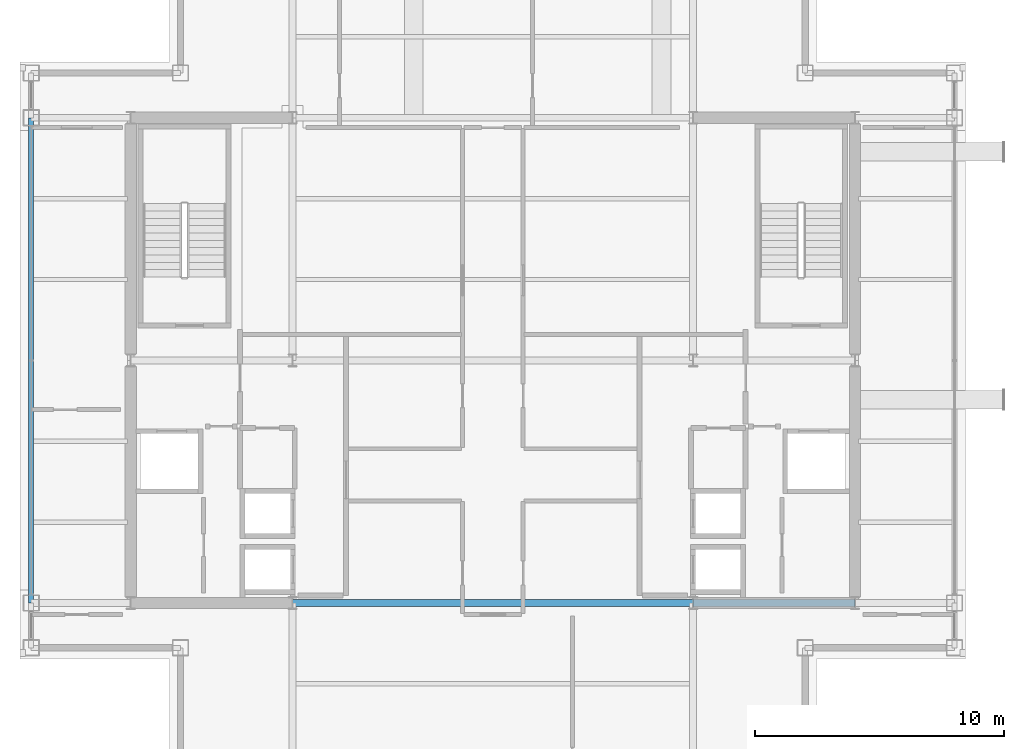
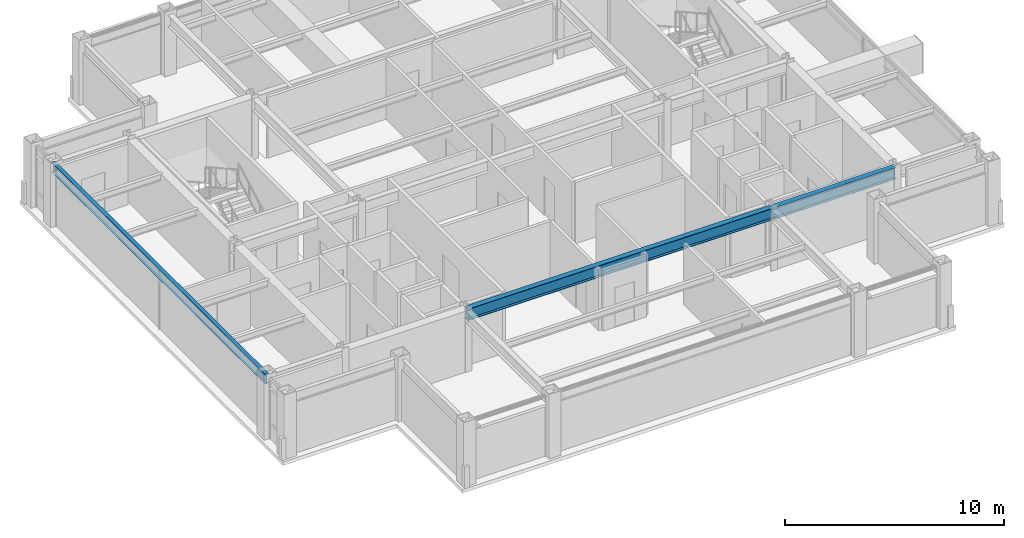
# One storey, part 5 of 20: 3 beams.
"""IFC4 building model written with IfcOpenShell, lengths in metres."""

from ifc_helpers import new_model, si_unit, direction, frame, origin, origin_2d, place, context, subcontext, project, spatial, i_section, extrude, material, material_profile, profile_set, type_object, element, save


model = new_model("IFC4")

# Units and contexts
model_context = context("Model", 3, precision=1e-05, world=origin(), true_north=direction((0.0, 1.0)))
body_context = subcontext(model_context, "Body", "Model", "MODEL_VIEW")
ifc_project = project(units=[si_unit("LENGTHUNIT", "METRE"), si_unit("AREAUNIT", "SQUARE_METRE"), si_unit("VOLUMEUNIT", "CUBIC_METRE"), si_unit("PLANEANGLEUNIT", "RADIAN"), si_unit("MASSUNIT", "GRAM", prefix="KILO")], contexts=[model_context])

# Site, building, storey
site_placement = place(None, origin())
site = spatial("IfcSite", under=ifc_project, at=site_placement, CompositionType="ELEMENT")
building_placement = place(site_placement, origin())
building = spatial("IfcBuilding", under=site, at=building_placement, Name="Brelmoor Portico Tower", CompositionType="ELEMENT")
storey_placement = place(building_placement, frame((0.0, 0.0, 218.39990234375)))
storey = spatial("IfcBuildingStorey", under=building, at=storey_placement, Name="L57", CompositionType="ELEMENT", Elevation=218.39990234375)

# Beams
ifc_material = material(Name="Steel Q355B", Category="steel")
ifc_material_profile_1 = material_profile(ifc_material, i_section(OverallWidth=0.280029296875, OverallDepth=0.64990234375, WebThickness=0.012939453125, FlangeThickness=0.02197265625, at=origin_2d()), Name="HN 650x280x13x22")
ifc_profile_set_1 = profile_set([ifc_material_profile_1], Name="Steel Q355B")
beam_type_1 = type_object("IfcBeamType", Name="BM-PG-650", PredefinedType="BEAM", material=ifc_profile_set_1)
beam_1_placement = place(storey_placement, frame((-8.050048828125, -9.75, 3.0751953125), z_axis=(1.0, 0.0, 0.0), x_axis=(0.0, 1.0, 0.0)))
element("IfcBeam", 1, at=beam_1_placement, inside=storey, type_object=beam_type_1, Name="L57 Primary Floor Girder PG-13", PredefinedType="BEAM", context=body_context, shape_type="SweptSolid", body=[
    extrude(i_section(OverallWidth=0.280029296875, OverallDepth=0.64990234375, WebThickness=0.012939453125, FlangeThickness=0.02197265625, at=origin_2d()), origin(), (0.0, 0.0, 1.0), 16.10009765625),
])
beam_2_placement = place(storey_placement, frame((8.050048828125, -9.75, 3.0751953125), z_axis=(1.0, 0.0, 0.0), x_axis=(0.0, 1.0, 0.0)))
element("IfcBeam", 2, at=beam_2_placement, inside=storey, type_object=beam_type_1, Name="L57 Primary Floor Girder PG-14", PredefinedType="BEAM", context=body_context, shape_type="SweptSolid", body=[
    extrude(i_section(OverallWidth=0.280029296875, OverallDepth=0.64990234375, WebThickness=0.012939453125, FlangeThickness=0.02197265625, at=origin_2d()), origin(), (0.0, 0.0, 1.0), 6.5),
])
ifc_material_profile_2 = material_profile(ifc_material, i_section(OverallWidth=0.199951171875, OverallDepth=0.550048828125, WebThickness=0.010009765625, FlangeThickness=0.01611328125, at=origin_2d()), Name="HN 550x200x10x16")
ifc_profile_set_2 = profile_set([ifc_material_profile_2], Name="Steel Q355B")
beam_type_2 = type_object("IfcBeamType", Name="BM-SP-550", PredefinedType="SPANDREL", material=ifc_profile_set_2)
beam_3_placement = place(storey_placement, frame((-18.550048828125, -9.75, 3.125), z_axis=(0.0, 1.0, 0.0), x_axis=(-1.0, 0.0, 0.0)))
element("IfcBeam", 3, at=beam_3_placement, inside=storey, type_object=beam_type_2, Name="L57 Perimeter Spandrel Beam SP-12", PredefinedType="SPANDREL", context=body_context, shape_type="SweptSolid", body=[
    extrude(i_section(OverallWidth=0.199951171875, OverallDepth=0.550048828125, WebThickness=0.010009765625, FlangeThickness=0.01611328125, at=origin_2d()), origin(), (0.0, 0.0, 1.0), 19.5),
])

save(model, "model.ifc")
